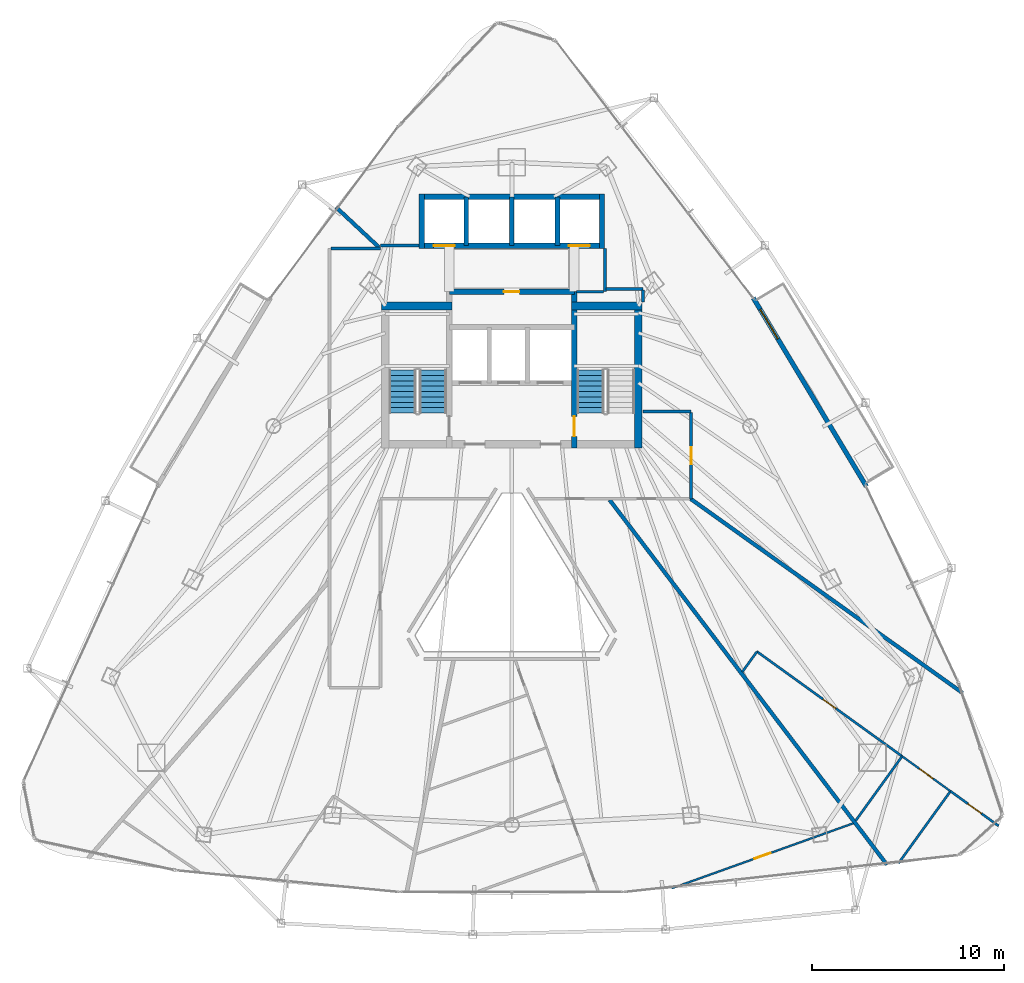
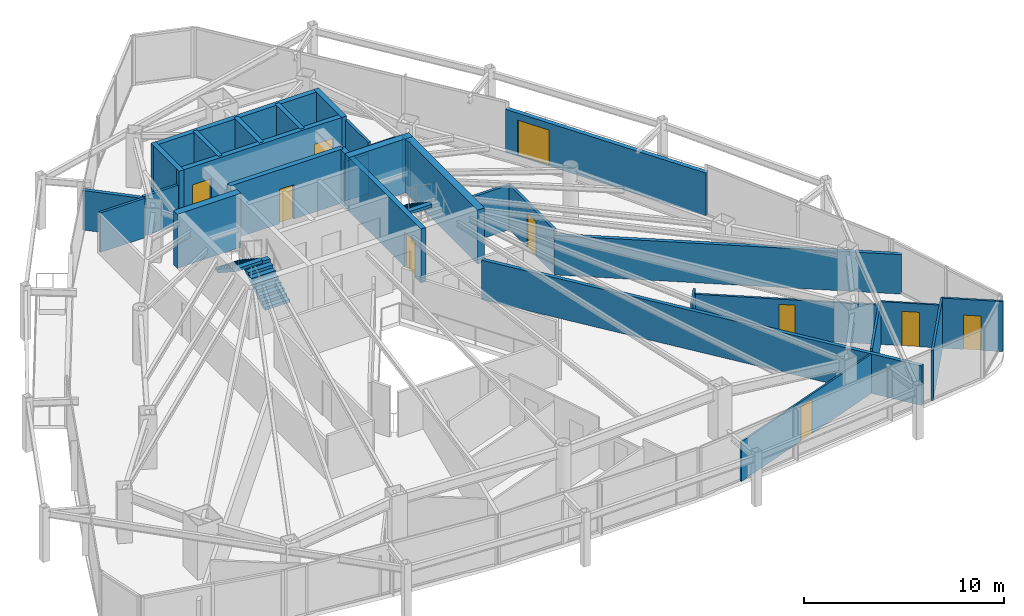
# One storey, part 26 of 30: 31 walls, 10 doors, 3 stair flights, 10 openings, 2 elements without a shape of their own.
"""IFC4 building model written with IfcOpenShell, lengths in metres."""

import ifcopenshell
import ifcopenshell.guid

model = None  # the IFC model being written
_history = None  # IfcOwnerHistory: only IFC2X3 demands one
_inside = {}  # id of a spatial element -> (the spatial element, [elements in it])
_under = {}  # id of a project, library or spatial element -> (it, [spatial elements below it])
_declared = {}  # id of a project -> (the project, [libraries it declares])
_typed = {}  # id of a type object -> (the type object, [elements of that type])
_made_of = {}  # id of a material, layer set ... -> (it, [elements and type objects made of it])


def new_model(schema):
    """Start an empty IFC model of exactly this schema.

    Asked for "IFC4X3", IfcOpenShell would pick the latest addendum, in which some entities
    have other attributes; the version numbers below select the first issue.
    IFC2X3 requires an IfcOwnerHistory on every rooted entity: one is made here for all.
    """
    global model, _history
    if schema == "IFC4X3":
        model = ifcopenshell.file(schema_version=(4, 3, 0, 0))
    else:
        model = ifcopenshell.file(schema=schema)
    _inside.clear()
    _under.clear()
    _declared.clear()
    _typed.clear()
    _made_of.clear()
    _history = None
    if model.schema == "IFC2X3":
        org = make("IfcOrganization", Name="unknown")
        user = make(
            "IfcPersonAndOrganization",
            ThePerson=make("IfcPerson", FamilyName="unknown"),
            TheOrganization=org,
        )
        app = make(
            "IfcApplication",
            ApplicationDeveloper=org,
            Version="unknown",
            ApplicationFullName="unknown",
            ApplicationIdentifier="unknown",
        )
        _history = make(
            "IfcOwnerHistory",
            OwningUser=user,
            OwningApplication=app,
            ChangeAction="ADDED",
            CreationDate=0,
        )
    return model


def make(cls, **values):
    """One entity of the class cls with the attributes given. An attribute that is None is left unset."""
    return model.create_entity(
        cls, **{name: value for name, value in values.items() if value is not None}
    )


def rooted(cls, **values):
    """An entity with a GlobalId (a new one), such as an element, a storey or a relation."""
    return make(cls, GlobalId=ifcopenshell.guid.new(), OwnerHistory=_history, **values)


def si_unit(unit_type, name, prefix=None):
    """IfcSIUnit, for example si_unit("LENGTHUNIT", "METRE", prefix="MILLI")."""
    return make("IfcSIUnit", UnitType=unit_type, Prefix=prefix, Name=name)


def assignment(units):
    """IfcUnitAssignment: the units of a project."""
    return None if units is None else make("IfcUnitAssignment", Units=units)


def point(xyz):
    """IfcCartesianPoint."""
    return None if xyz is None else make("IfcCartesianPoint", Coordinates=xyz)


def direction(xyz):
    """IfcDirection."""
    return None if xyz is None else make("IfcDirection", DirectionRatios=xyz)


def frame(location, z_axis=None, x_axis=None):
    """IfcAxis2Placement3D, a coordinate frame: its origin and axes. An axis left out is left unset."""
    return make(
        "IfcAxis2Placement3D",
        Location=point(location),
        Axis=direction(z_axis),
        RefDirection=direction(x_axis),
    )


def frame_2d(location, x_axis=None):
    """IfcAxis2Placement2D, a coordinate frame in the plane: its origin and x axis."""
    return make(
        "IfcAxis2Placement2D", Location=point(location), RefDirection=direction(x_axis)
    )


def origin():
    """The frame at (0, 0, 0) with its axes left unset."""
    return frame((0.0, 0.0, 0.0))


def place(relative_to, where):
    """IfcLocalPlacement: puts the frame where relative to a parent placement (None: the world)."""
    return make(
        "IfcLocalPlacement", PlacementRelTo=relative_to, RelativePlacement=where
    )


def context(
    kind, dimensions, precision=None, world=None, true_north=None, identifier=None
):
    """IfcGeometricRepresentationContext, for example the 3D "Model" context."""
    return make(
        "IfcGeometricRepresentationContext",
        ContextIdentifier=identifier,
        ContextType=kind,
        CoordinateSpaceDimension=dimensions,
        Precision=precision,
        WorldCoordinateSystem=world,
        TrueNorth=true_north,
    )


def subcontext(parent, identifier, kind, view, scale=None):
    """IfcGeometricRepresentationSubContext, for example "Body" below "Model"."""
    return make(
        "IfcGeometricRepresentationSubContext",
        ContextIdentifier=identifier,
        ContextType=kind,
        ParentContext=parent,
        TargetScale=scale,
        TargetView=view,
    )


def project(units=None, contexts=None):
    """IfcProject with its units and contexts."""
    return rooted(
        "IfcProject",
        Name="project",
        RepresentationContexts=contexts,
        UnitsInContext=assignment(units),
    )


def spatial(cls, under=None, at=None, **own):
    """A site, building, storey or space (cls), placed at a placement, below another one or the project."""
    s = rooted(cls, ObjectPlacement=at, **own)
    if under is not None:
        _under.setdefault(under.id(), (under, []))[1].append(s)
    return s


def polyline(points):
    """IfcPolyline through the points."""
    return make("IfcPolyline", Points=[point(p) for p in points])


def profile(cls, at=None, kind="AREA", **sizes):
    """A parametric profile (cls). Its sizes go by their IFC names, for example OverallWidth=200.0."""
    return make(cls, ProfileType=kind, Position=at, **sizes)


def rectangle(**sizes):
    """IfcRectangleProfileDef."""
    return profile("IfcRectangleProfileDef", **sizes)


def outline(outer, holes=None, kind="AREA"):
    """IfcArbitraryClosedProfileDef: a profile drawn as a closed curve; with holes, ...WithVoids."""
    if holes is None:
        return make("IfcArbitraryClosedProfileDef", ProfileType=kind, OuterCurve=outer)
    return make(
        "IfcArbitraryProfileDefWithVoids",
        ProfileType=kind,
        OuterCurve=outer,
        InnerCurves=holes,
    )


def extrude(swept, where, along, depth):
    """IfcExtrudedAreaSolid: the profile swept, set in the frame where, extruded along a direction by depth."""
    return make(
        "IfcExtrudedAreaSolid",
        SweptArea=swept,
        Position=where,
        ExtrudedDirection=direction(along),
        Depth=depth,
    )


def shape(context_of_items, identifier, shape_type, items):
    """IfcShapeRepresentation: the items that make up one representation, for example the "Body"."""
    return make(
        "IfcShapeRepresentation",
        ContextOfItems=context_of_items,
        RepresentationIdentifier=identifier,
        RepresentationType=shape_type,
        Items=items,
    )


def material(Name=None, Category=None):
    """IfcMaterial."""
    return make("IfcMaterial", Name=Name, Category=Category)


def layer(
    of_material, thickness, ventilated=None, Name=None, Category=None, Priority=None
):
    """IfcMaterialLayer: one layer of a wall or slab, of a material (None: an air gap)."""
    return make(
        "IfcMaterialLayer",
        Material=of_material,
        LayerThickness=thickness,
        IsVentilated=ventilated,
        Name=Name,
        Category=Category,
        Priority=Priority,
    )


def layer_set(layers, Name=None):
    """IfcMaterialLayerSet."""
    return make("IfcMaterialLayerSet", MaterialLayers=layers, LayerSetName=Name)


def made_of(thing, what):
    """Note that an element or type object is made of a material, layer set ...; save() writes the relation."""
    if what is not None:
        _made_of.setdefault(what.id(), (what, []))[1].append(thing)
    return thing


def type_object(cls, material=None, **own):
    """A type object (cls), such as IfcWallType, which elements share."""
    return made_of(rooted(cls, **own), material)


def element(
    cls,
    number,
    at=None,
    inside=None,
    cuts=None,
    type_object=None,
    material=None,
    context=None,
    identifier="Body",
    shape_type=None,
    held_by="IfcProductDefinitionShape",
    body=None,
    shapes=None,
    **own,
):
    """One element of the class cls, such as IfcWall. Its Tag is "e" and its number.

    at: its placement. inside: the storey or other place that contains it. cuts: it is an
    opening in that element (IfcRelVoidsElement). A single representation is given by context,
    identifier, shape_type and body (its items); several are given by shapes. held_by: the class
    of the entity that holds the representations. save() writes the other relations.
    """
    e = rooted(cls, Tag="e%d" % number, ObjectPlacement=at, **own)
    if body is not None:
        shapes = [shape(context, identifier, shape_type, body)]
    if shapes is not None:
        e.Representation = make(held_by, Representations=shapes)
    if inside is not None:
        _inside.setdefault(inside.id(), (inside, []))[1].append(e)
    if cuts is not None:
        rooted(
            "IfcRelVoidsElement", RelatingBuildingElement=cuts, RelatedOpeningElement=e
        )
    if type_object is not None:
        _typed.setdefault(type_object.id(), (type_object, []))[1].append(e)
    return made_of(e, material)


def fill(opening, filler):
    """IfcRelFillsElement: the door or window that sits in an opening."""
    return rooted(
        "IfcRelFillsElement",
        RelatingOpeningElement=opening,
        RelatedBuildingElement=filler,
    )


def aggregate(whole, parts):
    """IfcRelAggregates: a whole, such as a stair, and the parts it consists of."""
    return rooted("IfcRelAggregates", RelatingObject=whole, RelatedObjects=parts)


def save(model, path):
    """Write the relations noted so far, then the file.

    IfcRelAggregates (storeys below a building ...), IfcRelContainedInSpatialStructure (elements
    in a storey), IfcRelDefinesByType, IfcRelAssociatesMaterial and IfcRelDeclares: one each for
    every whole, place, type object, material and project.
    """
    for whole, parts in _under.values():
        aggregate(whole, parts)
    for where, things in _inside.values():
        rooted(
            "IfcRelContainedInSpatialStructure",
            RelatedElements=things,
            RelatingStructure=where,
        )
    for kind, things in _typed.values():
        rooted("IfcRelDefinesByType", RelatedObjects=things, RelatingType=kind)
    for what, things in _made_of.values():
        rooted("IfcRelAssociatesMaterial", RelatedObjects=things, RelatingMaterial=what)
    for by, libraries in _declared.values():
        rooted("IfcRelDeclares", RelatingContext=by, RelatedDefinitions=libraries)
    model.write(path)


model = new_model("IFC4")

# Units and contexts
model_context = context("Model", 3, precision=1e-05, world=origin(), true_north=direction((0.0, 1.0)))
body_context = subcontext(model_context, "Body", "Model", "MODEL_VIEW")
ifc_project = project(units=[si_unit("LENGTHUNIT", "METRE"), si_unit("AREAUNIT", "SQUARE_METRE"), si_unit("VOLUMEUNIT", "CUBIC_METRE"), si_unit("PLANEANGLEUNIT", "RADIAN"), si_unit("MASSUNIT", "GRAM", prefix="KILO")], contexts=[model_context])

# Site, building, storey
site_placement = place(None, origin())
site = spatial("IfcSite", under=ifc_project, at=site_placement, CompositionType="ELEMENT")
building_placement = place(site_placement, origin())
building = spatial("IfcBuilding", under=site, at=building_placement, Name="Orvanel Arch Residences", CompositionType="ELEMENT")
storey_placement = place(building_placement, frame((0.0, 0.0, 136.39990234375)))
storey = spatial("IfcBuildingStorey", under=building, at=storey_placement, Name="L38", CompositionType="ELEMENT", Elevation=136.39990234375)

# Wall, opening, door
ifc_material_1 = material(Name="Precast concrete N50 (50 MPa)", Category="concrete")
ifc_layer_1 = layer(ifc_material_1, 0.239990234375)
ifc_layer_set_1 = layer_set([ifc_layer_1], Name="Precast concrete N50 (50 MPa)")
wall_type_1 = type_object("IfcWallType", Name="EW-BAL-240", PredefinedType="SOLIDWALL", material=ifc_layer_set_1)
wall_1_placement = place(storey_placement, frame((51.490966796875, 24.491943359375, 0.0), z_axis=(0.0, 0.0, 1.0), x_axis=(-0.514364263751, 0.857571807009, 0.0)))
wall_1 = element("IfcWall", 1, at=wall_1_placement, inside=storey, type_object=wall_type_1, Name="L38 Balcony Threshold Wall Face 3", PredefinedType="SOLIDWALL", context=body_context, shape_type="SweptSolid", body=[
    extrude(rectangle(XDim=11.46826171875, YDim=0.239990234375, at=frame_2d((5.734130859375, 0.0))), origin(), (0.0, 0.0, 1.0), 2.6240234375),
])
opening_1_placement = place(wall_1_placement, frame((8.971923828125, 0.0, 0.0)))
opening_1 = element("IfcOpeningElement", 2, at=opening_1_placement, cuts=wall_1, Name="Opening DB-180", PredefinedType="OPENING", context=body_context, shape_type="SweptSolid", body=[
    extrude(rectangle(XDim=1.800048828125, YDim=2.199951171875, at=frame_2d((0.89990234375, 1.10009765625))), frame((0.0, 0.1298828125, 0.0), z_axis=(0.0, -1.0, 0.0), x_axis=(1.0, 0.0, 0.0)), (0.0, 0.0, 1.0), 0.260009765625),
])
ifc_material_2 = material(Name="Bronze-anodised aluminium AA6063-T6", Category="aluminium")
door_type_1 = type_object("IfcDoorType", Name="DR-BAL-1800", OperationType="NOTDEFINED", PredefinedType="DOOR", material=ifc_material_2)
door_1_placement = place(opening_1_placement, origin())
door_1 = element("IfcDoor", 3, at=door_1_placement, inside=storey, type_object=door_type_1, Name="DR-L38-BAL-F3 L38 Planted Balcony Access Door Face 3", OperationType="SINGLE_SWING_LEFT", OverallHeight=2.199951171875, OverallWidth=1.800048828125, PredefinedType="DOOR", context=body_context, shape_type="SweptSolid", body=[
    extrude(rectangle(XDim=1.800048828125, YDim=2.199951171875, at=frame_2d((0.89990234375, 1.10009765625))), frame((0.0, 0.02490234375, 0.0), z_axis=(0.0, -1.0, 0.0), x_axis=(1.0, 0.0, 0.0)), (0.0, 0.0, 1.0), 0.050048828125),
])
fill(opening_1, door_1)

# Walls
ifc_material_3 = material(Name="Concrete N50 (50 MPa)", Category="concrete")
ifc_layer_2 = layer(ifc_material_3, 0.25)
ifc_layer_set_2 = layer_set([ifc_layer_2], Name="Concrete N50 (50 MPa)")
wall_type_2 = type_object("IfcWallType", Name="SW-CORE-250", PredefinedType="SHEAR", material=ifc_layer_set_2)
for number, where, z_axis, x_axis, name in (
    (4, (30.625, 37.050048828125, 0.0), (0.0, 0.0, 1.0), (0.0, 1.0, 0.0), "L38 Passenger Lift Inter-Shaft Wall P35"),
    (5, (33.0, 37.050048828125, 0.0), (0.0, 0.0, 1.0), (0.0, 1.0, 0.0), "L38 Passenger Lift Inter-Shaft Wall P56"),
    (6, (35.375, 37.050048828125, 0.0), (0.0, 0.0, 1.0), (0.0, 1.0, 0.0), "L38 Passenger Lift Inter-Shaft Wall P64"),
):
    element("IfcWall", number, at=place(storey_placement, frame(where, z_axis=z_axis, x_axis=x_axis)), inside=storey, type_object=wall_type_2, Name=name, PredefinedType="SHEAR", context=body_context, shape_type="SweptSolid", body=[
        extrude(rectangle(XDim=2.550048828125, YDim=0.25, at=frame_2d((1.27490234375, 0.0))), origin(), (0.0, 0.0, 1.0), 3.300048828125),
    ])

# Wall, opening, door
ifc_material_4 = material(Name="Concrete S65 (65 MPa)", Category="concrete")
ifc_layer_3 = layer(ifc_material_4, 0.280029296875)
ifc_layer_set_3 = layer_set([ifc_layer_3], Name="Concrete S65 (65 MPa)")
wall_type_3 = type_object("IfcWallType", Name="SW-CORE-280", PredefinedType="SHEAR", material=ifc_layer_set_3)
wall_2_placement = place(storey_placement, frame((36.260009765625, 26.5, 0.0), z_axis=(0.0, 0.0, 1.0), x_axis=(0.0, 1.0, 0.0)))
wall_2 = element("IfcWall", 7, at=wall_2_placement, inside=storey, type_object=wall_type_3, Name="L38 East Inner Core Spine Shear Wall", PredefinedType="SHEAR", context=body_context, shape_type="SweptSolid", body=[
    extrude(rectangle(XDim=8.14990234375, YDim=0.280029296875, at=frame_2d((4.074951171875, 0.0))), origin(), (0.0, 0.0, 1.0), 3.300048828125),
])
opening_2_placement = place(wall_2_placement, frame((0.60009765625, 0.0, 0.0)))
opening_2 = element("IfcOpeningElement", 8, at=opening_2_placement, cuts=wall_2, Name="Opening DF-120", PredefinedType="OPENING", context=body_context, shape_type="SweptSolid", body=[
    extrude(rectangle(XDim=1.050048828125, YDim=2.14990234375, at=frame_2d((0.52490234375, 1.074951171875))), frame((0.0, 0.14990234375, 0.0), z_axis=(0.0, -1.0, 0.0), x_axis=(1.0, 0.0, 0.0)), (0.0, 0.0, 1.0), 0.300048828125),
])
ifc_material_5 = material(Name="Galvanised steel fire-resisting door assembly", Category="steel")
door_type_2 = type_object("IfcDoorType", Name="DR-FD120-1050", OperationType="NOTDEFINED", PredefinedType="DOOR", material=ifc_material_5)
door_2_placement = place(opening_2_placement, origin())
door_2 = element("IfcDoor", 9, at=door_2_placement, inside=storey, type_object=door_type_2, Name="DR-L38-ST2 L38 Stair 2 Fire Door", OperationType="SINGLE_SWING_RIGHT", OverallHeight=2.14990234375, OverallWidth=1.050048828125, PredefinedType="DOOR", context=body_context, shape_type="SweptSolid", body=[
    extrude(rectangle(XDim=1.050048828125, YDim=2.14990234375, at=frame_2d((0.52490234375, 1.074951171875))), frame((0.0, 0.02490234375, 0.0), z_axis=(0.0, -1.0, 0.0), x_axis=(1.0, 0.0, 0.0)), (0.0, 0.0, 1.0), 0.050048828125),
])
fill(opening_2, door_2)

wall_3_placement = place(storey_placement, frame((29.739990234375, 34.64990234375, 0.0), z_axis=(0.0, 0.0, 1.0), x_axis=(1.0, 0.0, 0.0)))
wall_3 = element("IfcWall", 10, at=wall_3_placement, inside=storey, type_object=wall_type_3, Name="L38 Core Service Band North Shear Wall", PredefinedType="SHEAR", context=body_context, shape_type="SweptSolid", body=[
    extrude(rectangle(XDim=6.52001953125, YDim=0.280029296875, at=frame_2d((3.260009765625, 0.0))), origin(), (0.0, 0.0, 1.0), 3.300048828125),
])
opening_3_placement = place(wall_3_placement, frame((2.840087890625, 0.0, 0.0)))
opening_3 = element("IfcOpeningElement", 11, at=opening_3_placement, cuts=wall_3, Name="Opening DS-082", PredefinedType="OPENING", context=body_context, shape_type="SweptSolid", body=[
    extrude(rectangle(XDim=0.820068359375, YDim=2.10009765625, at=frame_2d((0.41015625, 1.050048828125))), frame((0.0, 0.14990234375, 0.0), z_axis=(0.0, -1.0, 0.0), x_axis=(1.0, 0.0, 0.0)), (0.0, 0.0, 1.0), 0.300048828125),
])
door_type_3 = type_object("IfcDoorType", Name="DR-SVC-820", OperationType="NOTDEFINED", PredefinedType="DOOR", material=ifc_material_5)
door_3_placement = place(opening_3_placement, origin())
door_3 = element("IfcDoor", 12, at=door_3_placement, inside=storey, type_object=door_type_3, Name="DR-L38-CSVC-1 L38 Housekeeping Linen Store Door", OperationType="SINGLE_SWING_LEFT", OverallHeight=2.10009765625, OverallWidth=0.820068359375, PredefinedType="DOOR", context=body_context, shape_type="SweptSolid", body=[
    extrude(rectangle(XDim=0.820068359375, YDim=2.10009765625, at=frame_2d((0.41015625, 1.050048828125))), frame((0.0, 0.02490234375, 0.0), z_axis=(0.0, -1.0, 0.0), x_axis=(1.0, 0.0, 0.0)), (0.0, 0.0, 1.0), 0.050048828125),
])
fill(opening_3, door_3)

# Wall, openings, doors
wall_4_placement = place(storey_placement, frame((37.840087890625, 37.050048828125, 0.0), z_axis=(0.0, 0.0, 1.0), x_axis=(-1.0, 0.0, 0.0)))
wall_4 = element("IfcWall", 13, at=wall_4_placement, inside=storey, type_object=wall_type_3, Name="L38 Passenger Lift Bank Front Shear Wall", PredefinedType="SHEAR", context=body_context, shape_type="SweptSolid", body=[
    extrude(rectangle(XDim=9.68017578125, YDim=0.280029296875, at=frame_2d((4.840087890625, 0.0))), origin(), (0.0, 0.0, 1.0), 3.300048828125),
])
opening_4_placement = place(wall_4_placement, frame((7.81494140625, 0.0, 0.0)))
opening_4 = element("IfcOpeningElement", 14, at=opening_4_placement, cuts=wall_4, Name="Opening LD-110", PredefinedType="OPENING", context=body_context, shape_type="SweptSolid", body=[
    extrude(rectangle(XDim=1.10009765625, YDim=2.199951171875, at=frame_2d((0.550048828125, 1.10009765625))), frame((0.0, 0.14990234375, 0.0), z_axis=(0.0, -1.0, 0.0), x_axis=(1.0, 0.0, 0.0)), (0.0, 0.0, 1.0), 0.300048828125),
])
opening_5_placement = place(wall_4_placement, frame((0.764892578125, 0.0, 0.0)))
opening_5 = element("IfcOpeningElement", 15, at=opening_5_placement, cuts=wall_4, Name="Opening LD-110", PredefinedType="OPENING", context=body_context, shape_type="SweptSolid", body=[
    extrude(rectangle(XDim=1.10009765625, YDim=2.199951171875, at=frame_2d((0.550048828125, 1.10009765625))), frame((0.0, 0.14990234375, 0.0), z_axis=(0.0, -1.0, 0.0), x_axis=(1.0, 0.0, 0.0)), (0.0, 0.0, 1.0), 0.300048828125),
])
door_type_4 = type_object("IfcDoorType", Name="DR-LFT-1100", OperationType="NOTDEFINED", PredefinedType="DOOR", material=ifc_material_5)
door_4_placement = place(opening_4_placement, origin())
door_4 = element("IfcDoor", 16, at=door_4_placement, inside=storey, type_object=door_type_4, Name="LD-P3-L38 L38 Passenger Lift P3 Sliding Landing Door", OperationType="DOUBLE_DOOR_SLIDING", OverallHeight=2.199951171875, OverallWidth=1.10009765625, PredefinedType="DOOR", context=body_context, shape_type="SweptSolid", body=[
    extrude(rectangle(XDim=1.10009765625, YDim=2.199951171875, at=frame_2d((0.550048828125, 1.10009765625))), frame((0.0, 0.02490234375, 0.0), z_axis=(0.0, -1.0, 0.0), x_axis=(1.0, 0.0, 0.0)), (0.0, 0.0, 1.0), 0.050048828125),
])
fill(opening_4, door_4)
door_5_placement = place(opening_5_placement, origin())
door_5 = element("IfcDoor", 17, at=door_5_placement, inside=storey, type_object=door_type_4, Name="LD-P4-L38 L38 Passenger Lift P4 Sliding Landing Door", OperationType="DOUBLE_DOOR_SLIDING", OverallHeight=2.199951171875, OverallWidth=1.10009765625, PredefinedType="DOOR", context=body_context, shape_type="SweptSolid", body=[
    extrude(rectangle(XDim=1.10009765625, YDim=2.199951171875, at=frame_2d((0.550048828125, 1.10009765625))), frame((0.0, 0.02490234375, 0.0), z_axis=(0.0, -1.0, 0.0), x_axis=(1.0, 0.0, 0.0)), (0.0, 0.0, 1.0), 0.050048828125),
])
fill(opening_5, door_5)

# Walls
wall_5_placement = place(storey_placement, frame((28.159912109375, 39.60009765625, 0.0), z_axis=(0.0, 0.0, 1.0), x_axis=(1.0, 0.0, 0.0)))
element("IfcWall", 18, at=wall_5_placement, inside=storey, type_object=wall_type_3, Name="L38 Passenger Lift Bank North Shear Wall", PredefinedType="SHEAR", context=body_context, shape_type="SweptSolid", body=[
    extrude(rectangle(XDim=9.68017578125, YDim=0.280029296875, at=frame_2d((4.840087890625, 0.0))), origin(), (0.0, 0.0, 1.0), 3.300048828125),
])
for number, where, z_axis, x_axis, name in (
    (19, (28.300048828125, 36.909912109375, 0.0), (0.0, 0.0, 1.0), (0.0, 1.0, 0.0), "L38 Passenger Lift Bank West Shear Wall"),
    (20, (37.699951171875, 36.909912109375, 0.0), (0.0, 0.0, 1.0), (0.0, 1.0, 0.0), "L38 Passenger Lift Bank East Shear Wall"),
):
    element("IfcWall", number, at=place(storey_placement, frame(where, z_axis=z_axis, x_axis=x_axis)), inside=storey, type_object=wall_type_3, Name=name, PredefinedType="SHEAR", context=body_context, shape_type="SweptSolid", body=[
        extrude(rectangle(XDim=2.830078125, YDim=0.280029296875, at=frame_2d((1.4150390625, 0.0))), origin(), (0.0, 0.0, 1.0), 3.300048828125),
    ])
ifc_layer_4 = layer(ifc_material_4, 0.39990234375)
ifc_layer_set_4 = layer_set([ifc_layer_4], Name="Concrete S65 (65 MPa)")
wall_type_4 = type_object("IfcWallType", Name="SW-CORE-400", PredefinedType="SHEAR", material=ifc_layer_set_4)
wall_6_placement = place(storey_placement, frame((26.199951171875, 33.89990234375, 0.0), z_axis=(0.0, 0.0, 1.0), x_axis=(1.0, 0.0, 0.0)))
element("IfcWall", 21, at=wall_6_placement, inside=storey, type_object=wall_type_4, Name="L38 West Stair North Shear Wall", PredefinedType="SHEAR", context=body_context, shape_type="SweptSolid", body=[
    extrude(rectangle(XDim=3.679931640625, YDim=0.39990234375, at=frame_2d((1.83984375, 0.0))), origin(), (0.0, 0.0, 1.0), 3.300048828125),
])
wall_7_placement = place(storey_placement, frame((39.60009765625, 26.5, 0.0), z_axis=(0.0, 0.0, 1.0), x_axis=(0.0, 1.0, 0.0)))
element("IfcWall", 22, at=wall_7_placement, inside=storey, type_object=wall_type_4, Name="L38 East Stair Shear Wall", PredefinedType="SHEAR", context=body_context, shape_type="SweptSolid", body=[
    extrude(rectangle(XDim=7.60009765625, YDim=0.39990234375, at=frame_2d((3.800048828125, 0.0))), origin(), (0.0, 0.0, 1.0), 3.300048828125),
])
wall_8_placement = place(storey_placement, frame((36.1201171875, 33.89990234375, 0.0), z_axis=(0.0, 0.0, 1.0), x_axis=(1.0, 0.0, 0.0)))
element("IfcWall", 23, at=wall_8_placement, inside=storey, type_object=wall_type_4, Name="L38 East Stair North Shear Wall", PredefinedType="SHEAR", context=body_context, shape_type="SweptSolid", body=[
    extrude(rectangle(XDim=3.679931640625, YDim=0.39990234375, at=frame_2d((1.83984375, 0.0))), origin(), (0.0, 0.0, 1.0), 3.300048828125),
])
ifc_material_6 = material(Name="Fire-rated plasterboard lined steel stud partition", Category="steel")
ifc_layer_5 = layer(ifc_material_6, 0.14990234375)
ifc_layer_set_5 = layer_set([ifc_layer_5], Name="Fire-rated plasterboard lined steel stud partition")
wall_type_5 = type_object("IfcWallType", Name="W-COR-150", PredefinedType="PARTITIONING", material=ifc_layer_set_5)
wall_9_placement = place(storey_placement, frame((37.85009765625, 34.64990234375, 0.0), z_axis=(0.0, 0.0, 1.0), x_axis=(0.0, 1.0, 0.0)))
element("IfcWall", 24, at=wall_9_placement, inside=storey, type_object=wall_type_5, Name="L38 Passenger Lift Lobby East Closure Wall", PredefinedType="PARTITIONING", context=body_context, shape_type="SweptSolid", body=[
    extrude(rectangle(XDim=2.260009765625, YDim=0.14990234375, at=frame_2d((1.1298828125, 0.0))), origin(), (0.0, 0.0, 1.0), 3.06005859375),
])
wall_10_placement = place(storey_placement, frame((36.385009765625, 34.64990234375, 0.0), z_axis=(0.0, 0.0, 1.0), x_axis=(1.0, 0.0, 0.0)))
element("IfcWall", 25, at=wall_10_placement, inside=storey, type_object=wall_type_5, Name="L38 Passenger Lift Lobby South-East Wall", PredefinedType="PARTITIONING", context=body_context, shape_type="SweptSolid", body=[
    extrude(rectangle(XDim=1.405029296875, YDim=0.14990234375, at=frame_2d((0.70263671875, 0.0))), origin(), (0.0, 0.0, 1.0), 2.425048828125),
])
wall_11_placement = place(storey_placement, frame((23.56005859375, 36.89990234375, 0.0), z_axis=(0.0, 0.0, 1.0), x_axis=(1.0, 0.0, 0.0)))
element("IfcWall", 26, at=wall_11_placement, inside=storey, type_object=wall_type_5, Name="L38 Corridor Fire-Rated Partition", PredefinedType="PARTITIONING", context=body_context, shape_type="SweptSolid", body=[
    extrude(rectangle(XDim=2.58984375, YDim=0.14990234375, at=frame_2d((1.294921875, 0.0))), origin(), (0.0, 0.0, 1.0), 2.4130859375),
])
wall_12_placement = place(storey_placement, frame((39.85009765625, 28.39990234375, 0.0), z_axis=(0.0, 0.0, 1.0), x_axis=(1.0, 0.0, 0.0)))
element("IfcWall", 27, at=wall_12_placement, inside=storey, type_object=wall_type_5, Name="L38 Corridor Fire-Rated Partition", PredefinedType="PARTITIONING", context=body_context, shape_type="SweptSolid", body=[
    extrude(rectangle(XDim=2.5, YDim=0.14990234375, at=frame_2d((1.25, 0.0))), origin(), (0.0, 0.0, 1.0), 2.72119140625),
])

# Wall, opening, door
wall_13_placement = place(storey_placement, frame((42.35009765625, 28.340087890625, 0.0), z_axis=(0.0, 0.0, 1.0), x_axis=(0.0, -1.0, 0.0)))
wall_13 = element("IfcWall", 28, at=wall_13_placement, inside=storey, type_object=wall_type_5, Name="L38 Corridor Fire-Rated Partition", PredefinedType="PARTITIONING", context=body_context, shape_type="SweptSolid", body=[
    extrude(rectangle(XDim=4.489990234375, YDim=0.14990234375, at=frame_2d((2.2451171875, 0.0))), origin(), (0.0, 0.0, 1.0), 2.72119140625),
])
opening_6_placement = place(wall_13_placement, frame((1.804931640625, 0.0, 0.0)))
opening_6 = element("IfcOpeningElement", 29, at=opening_6_placement, cuts=wall_13, Name="Opening DI-088", PredefinedType="OPENING", context=body_context, shape_type="SweptSolid", body=[
    extrude(rectangle(XDim=0.8798828125, YDim=2.10009765625, at=frame_2d((0.43994140625, 1.050048828125))), frame((0.0, 0.0849609375, 0.0), z_axis=(0.0, -1.0, 0.0), x_axis=(1.0, 0.0, 0.0)), (0.0, 0.0, 1.0), 0.169921875),
])
ifc_material_7 = material(Name="Solid-core European oak veneer fire door leaf", Category="wood")
door_type_5 = type_object("IfcDoorType", Name="DR-INT-880", OperationType="NOTDEFINED", PredefinedType="DOOR", material=ifc_material_7)
door_6_placement = place(opening_6_placement, origin())
door_6 = element("IfcDoor", 30, at=door_6_placement, inside=storey, type_object=door_type_5, Name="DR-L38-SHRD-FB2 L38 Co-Working Study Office B Door", OperationType="SINGLE_SWING_LEFT", OverallHeight=2.10009765625, OverallWidth=0.8798828125, PredefinedType="DOOR", context=body_context, shape_type="SweptSolid", body=[
    extrude(rectangle(XDim=0.8798828125, YDim=2.10009765625, at=frame_2d((0.43994140625, 1.050048828125))), frame((0.0, 0.02490234375, 0.0), z_axis=(0.0, -1.0, 0.0), x_axis=(1.0, 0.0, 0.0)), (0.0, 0.0, 1.0), 0.050048828125),
])
fill(opening_6, door_6)

# Walls
wall_14_placement = place(storey_placement, frame((26.14990234375, 37.050048828125, 0.0), z_axis=(0.0, 0.0, 1.0), x_axis=(1.0, 0.0, 0.0)))
element("IfcWall", 31, at=wall_14_placement, inside=storey, type_object=wall_type_5, Name="L38 Core Perimeter Partition", PredefinedType="PARTITIONING", context=body_context, shape_type="SweptSolid", body=[
    extrude(rectangle(XDim=2.0, YDim=0.14990234375, at=frame_2d((1.0, 0.0))), origin(), (0.0, 0.0, 1.0), 2.4130859375),
])
wall_15_placement = place(storey_placement, frame((37.909912109375, 34.800048828125, 0.0), z_axis=(0.0, 0.0, 1.0), x_axis=(1.0, 0.0, 0.0)))
element("IfcWall", 32, at=wall_15_placement, inside=storey, type_object=wall_type_5, Name="L38 Core Perimeter Partition", PredefinedType="PARTITIONING", context=body_context, shape_type="SweptSolid", body=[
    extrude(rectangle(XDim=1.940185546875, YDim=0.14990234375, at=frame_2d((0.97021484375, 0.0))), origin(), (0.0, 0.0, 1.0), 2.72119140625),
])
wall_16_placement = place(storey_placement, frame((39.85009765625, 34.739990234375, 0.0), z_axis=(0.0, 0.0, 1.0), x_axis=(0.0, -1.0, 0.0)))
element("IfcWall", 33, at=wall_16_placement, inside=storey, type_object=wall_type_5, Name="L38 Core Perimeter Partition", PredefinedType="PARTITIONING", context=body_context, shape_type="SweptSolid", body=[
    extrude(rectangle(XDim=0.639892578125, YDim=0.14990234375, at=frame_2d((0.31982421875, 0.0))), origin(), (0.0, 0.0, 1.0), 2.72119140625),
])
ifc_layer_6 = layer(ifc_material_6, 0.199951171875)
ifc_layer_set_6 = layer_set([ifc_layer_6], Name="Fire-rated plasterboard lined steel stud partition")
wall_type_6 = type_object("IfcWallType", Name="W-DEM-200", PredefinedType="PARTITIONING", material=ifc_layer_set_6)
wall_17_placement = place(storey_placement, frame((38.10107421875, 23.7900390625, 0.0), z_axis=(0.0, 0.0, 1.0), x_axis=(0.605201904092, -0.796072016393, 0.0)))
element("IfcWall", 34, at=wall_17_placement, inside=storey, type_object=wall_type_6, Name="L38 Inter-Tenancy Acoustic Demising Wall", PredefinedType="PARTITIONING", context=body_context, shape_type="SweptSolid", body=[
    extrude(rectangle(XDim=23.89599609375, YDim=0.199951171875, at=frame_2d((11.947998046875, 0.0))), origin(), (0.0, 0.0, 1.0), 2.4130859375),
])
wall_18_placement = place(storey_placement, frame((26.0791015625, 36.9599609375, 0.0), z_axis=(0.0, 0.0, 1.0), x_axis=(-0.730912649308, 0.682471024354, 0.0)))
element("IfcWall", 35, at=wall_18_placement, inside=storey, type_object=wall_type_6, Name="L38 Inter-Tenancy Acoustic Demising Wall", PredefinedType="PARTITIONING", context=body_context, shape_type="SweptSolid", body=[
    extrude(rectangle(XDim=3.07421875, YDim=0.199951171875, at=frame_2d((1.537109375, 0.0))), origin(), (0.0, 0.0, 1.0), 2.4130859375),
])
wall_19_placement = place(storey_placement, frame((56.514892578125, 13.719970703125, 0.0), z_axis=(0.0, 0.0, 1.0), x_axis=(-0.813997291107, 0.580868668522, 0.0)))
element("IfcWall", 36, at=wall_19_placement, inside=storey, type_object=wall_type_6, Name="L38 Inter-Tenancy Acoustic Demising Wall", PredefinedType="PARTITIONING", context=body_context, shape_type="SweptSolid", body=[
    extrude(rectangle(XDim=17.439697265625, YDim=0.199951171875, at=frame_2d((8.7197265625, 0.0))), origin(), (0.0, 0.0, 1.0), 2.4130859375),
])

# Wall, opening, door
ifc_material_8 = material(Name="Acoustic plasterboard lined twin-stud partition", Category="gypsum")
ifc_layer_7 = layer(ifc_material_8, 0.10009765625)
ifc_layer_set_7 = layer_set([ifc_layer_7], Name="Acoustic plasterboard lined twin-stud partition")
wall_type_7 = type_object("IfcWallType", Name="W-INT-100", PredefinedType="PARTITIONING", material=ifc_layer_set_7)
wall_20_placement = place(storey_placement, frame((50.81005859375, 6.931884765625, 0.0), z_axis=(0.0, 0.0, 1.0), x_axis=(-0.941340567411, -0.337458050943, 0.0)))
wall_20 = element("IfcWall", 37, at=wall_20_placement, inside=storey, type_object=wall_type_7, Name="L38 Flat A Internal Partition", PredefinedType="PARTITIONING", context=body_context, shape_type="SweptSolid", body=[
    extrude(rectangle(XDim=10.0634765625, YDim=0.10009765625, at=frame_2d((5.03173828125, 0.0))), origin(), (0.0, 0.0, 1.0), 2.4130859375),
])
opening_7_placement = place(wall_20_placement, frame((4.592041015625, 0.0, 0.0)))
opening_7 = element("IfcOpeningElement", 38, at=opening_7_placement, cuts=wall_20, Name="Opening DI-088", PredefinedType="OPENING", context=body_context, shape_type="SweptSolid", body=[
    extrude(rectangle(XDim=0.8798828125, YDim=2.10009765625, at=frame_2d((0.43994140625, 1.050048828125))), frame((0.0, 0.06005859375, 0.0), z_axis=(0.0, -1.0, 0.0), x_axis=(1.0, 0.0, 0.0)), (0.0, 0.0, 1.0), 0.1201171875),
])
door_7_placement = place(opening_7_placement, origin())
door_7 = element("IfcDoor", 39, at=door_7_placement, inside=storey, type_object=door_type_5, Name="DR-L38-A-AME2 L38 Flat A Resident Reading Library 1 Door", OperationType="SINGLE_SWING_LEFT", OverallHeight=2.10009765625, OverallWidth=0.8798828125, PredefinedType="DOOR", context=body_context, shape_type="SweptSolid", body=[
    extrude(rectangle(XDim=0.8798828125, YDim=2.10009765625, at=frame_2d((0.43994140625, 1.050048828125))), frame((0.0, 0.02490234375, 0.0), z_axis=(0.0, -1.0, 0.0), x_axis=(1.0, 0.0, 0.0)), (0.0, 0.0, 1.0), 0.050048828125),
])
fill(opening_7, door_7)

wall_21_placement = place(storey_placement, frame((55.8740234375, 8.60400390625, 0.0), z_axis=(0.0, 0.0, 1.0), x_axis=(-0.810886170902, 0.585203911333, 0.0)))
wall_21 = element("IfcWall", 40, at=wall_21_placement, inside=storey, type_object=wall_type_7, Name="L38 Studio E Internal Partition", PredefinedType="PARTITIONING", context=body_context, shape_type="SweptSolid", body=[
    extrude(rectangle(XDim=3.110107421875, YDim=0.10009765625, at=frame_2d((1.55517578125, 0.0))), origin(), (0.0, 0.0, 1.0), 2.619140625),
])
opening_8_placement = place(wall_21_placement, frame((1.114990234375, 0.0, 0.0)))
opening_8 = element("IfcOpeningElement", 41, at=opening_8_placement, cuts=wall_21, Name="Opening DI-088", PredefinedType="OPENING", context=body_context, shape_type="SweptSolid", body=[
    extrude(rectangle(XDim=0.8798828125, YDim=2.10009765625, at=frame_2d((0.43994140625, 1.050048828125))), frame((0.0, 0.06005859375, 0.0), z_axis=(0.0, -1.0, 0.0), x_axis=(1.0, 0.0, 0.0)), (0.0, 0.0, 1.0), 0.1201171875),
])
door_8_placement = place(opening_8_placement, origin())
door_8 = element("IfcDoor", 42, at=door_8_placement, inside=storey, type_object=door_type_5, Name="DR-L38-E-DIN1 L38 Studio E Dining Room 1 Door", OperationType="SINGLE_SWING_LEFT", OverallHeight=2.10009765625, OverallWidth=0.8798828125, PredefinedType="DOOR", context=body_context, shape_type="SweptSolid", body=[
    extrude(rectangle(XDim=0.8798828125, YDim=2.10009765625, at=frame_2d((0.43994140625, 1.050048828125))), frame((0.0, 0.02490234375, 0.0), z_axis=(0.0, -1.0, 0.0), x_axis=(1.0, 0.0, 0.0)), (0.0, 0.0, 1.0), 0.050048828125),
])
fill(opening_8, door_8)

ifc_layer_8 = layer(ifc_material_8, 0.1201171875)
ifc_layer_set_8 = layer_set([ifc_layer_8], Name="Acoustic plasterboard lined twin-stud partition")
wall_type_8 = type_object("IfcWallType", Name="W-WET-120", PredefinedType="PARTITIONING", material=ifc_layer_set_8)
wall_22_placement = place(storey_placement, frame((53.35205078125, 10.424072265625, 0.0), z_axis=(0.0, 0.0, 1.0), x_axis=(-0.810979209295, 0.585074971343, 0.0)))
wall_22 = element("IfcWall", 43, at=wall_22_placement, inside=storey, type_object=wall_type_8, Name="L38 Studio E Bathroom Partition", PredefinedType="PARTITIONING", context=body_context, shape_type="SweptSolid", body=[
    extrude(rectangle(XDim=9.33203125, YDim=0.1201171875, at=frame_2d((4.666015625, 0.0))), origin(), (0.0, 0.0, 1.0), 2.4130859375),
])
opening_9_placement = place(wall_22_placement, frame((4.256103515625, 0.0, 0.0)))
opening_9 = element("IfcOpeningElement", 44, at=opening_9_placement, cuts=wall_22, Name="Opening DW-082", PredefinedType="OPENING", context=body_context, shape_type="SweptSolid", body=[
    extrude(rectangle(XDim=0.820068359375, YDim=2.10009765625, at=frame_2d((0.41015625, 1.050048828125))), frame((0.0, 0.070068359375, 0.0), z_axis=(0.0, -1.0, 0.0), x_axis=(1.0, 0.0, 0.0)), (0.0, 0.0, 1.0), 0.14013671875),
])
door_type_6 = type_object("IfcDoorType", Name="DR-WET-820", OperationType="NOTDEFINED", PredefinedType="DOOR", material=ifc_material_7)
door_9_placement = place(opening_9_placement, origin())
door_9 = element("IfcDoor", 45, at=door_9_placement, inside=storey, type_object=door_type_6, Name="DR-L38-E-BATH L38 Studio E Bathroom Door", OperationType="SINGLE_SWING_RIGHT", OverallHeight=2.10009765625, OverallWidth=0.820068359375, PredefinedType="DOOR", context=body_context, shape_type="SweptSolid", body=[
    extrude(rectangle(XDim=0.820068359375, YDim=2.10009765625, at=frame_2d((0.41015625, 1.050048828125))), frame((0.0, 0.02490234375, 0.0), z_axis=(0.0, -1.0, 0.0), x_axis=(1.0, 0.0, 0.0)), (0.0, 0.0, 1.0), 0.050048828125),
])
fill(opening_9, door_9)

# Wall
wall_23_placement = place(storey_placement, frame((45.783935546875, 15.884033203125, 0.0), z_axis=(0.0, 0.0, 1.0), x_axis=(-0.58557264979, -0.810619930558, 0.0)))
element("IfcWall", 46, at=wall_23_placement, inside=storey, type_object=wall_type_8, Name="L38 Studio E Bathroom Partition", PredefinedType="PARTITIONING", context=body_context, shape_type="SweptSolid", body=[
    extrude(rectangle(XDim=1.302978515625, YDim=0.1201171875, at=frame_2d((0.6513671875, 0.0))), origin(), (0.0, 0.0, 1.0), 2.72119140625),
])

# Wall, opening, door
wall_24_placement = place(storey_placement, frame((58.385009765625, 6.79296875, 0.0), z_axis=(0.0, 0.0, 1.0), x_axis=(-0.811055436316, 0.584969297675, 0.0)))
wall_24 = element("IfcWall", 47, at=wall_24_placement, inside=storey, type_object=wall_type_8, Name="L38 Studio E Internal Partition", PredefinedType="PARTITIONING", context=body_context, shape_type="SweptSolid", body=[
    extrude(rectangle(XDim=3.095947265625, YDim=0.1201171875, at=frame_2d((1.5478515625, 0.0))), origin(), (0.0, 0.0, 1.0), 3.06005859375),
])
opening_10_placement = place(wall_24_placement, frame((1.10791015625, 0.0, 0.0)))
opening_10 = element("IfcOpeningElement", 48, at=opening_10_placement, cuts=wall_24, Name="Opening DI-088", PredefinedType="OPENING", context=body_context, shape_type="SweptSolid", body=[
    extrude(rectangle(XDim=0.8798828125, YDim=2.10009765625, at=frame_2d((0.43994140625, 1.050048828125))), frame((0.0, 0.070068359375, 0.0), z_axis=(0.0, -1.0, 0.0), x_axis=(1.0, 0.0, 0.0)), (0.0, 0.0, 1.0), 0.14013671875),
])
door_10_placement = place(opening_10_placement, origin())
door_10 = element("IfcDoor", 49, at=door_10_placement, inside=storey, type_object=door_type_5, Name="DR-L38-E-KIT L38 Studio E Kitchenette Door", OperationType="SINGLE_SWING_LEFT", OverallHeight=2.10009765625, OverallWidth=0.8798828125, PredefinedType="DOOR", context=body_context, shape_type="SweptSolid", body=[
    extrude(rectangle(XDim=0.8798828125, YDim=2.10009765625, at=frame_2d((0.43994140625, 1.050048828125))), frame((0.0, 0.02490234375, 0.0), z_axis=(0.0, -1.0, 0.0), x_axis=(1.0, 0.0, 0.0)), (0.0, 0.0, 1.0), 0.050048828125),
])
fill(opening_10, door_10)

# Walls
wall_25_placement = place(storey_placement, frame((53.35205078125, 10.424072265625, 0.0), z_axis=(0.0, 0.0, 1.0), x_axis=(-0.585041198475, -0.811003573412, 0.0)))
element("IfcWall", 50, at=wall_25_placement, inside=storey, type_object=wall_type_8, Name="L38 Studio E Bathroom Partition", PredefinedType="PARTITIONING", context=body_context, shape_type="SweptSolid", body=[
    extrude(rectangle(XDim=4.146728515625, YDim=0.1201171875, at=frame_2d((2.0732421875, 0.0))), origin(), (0.0, 0.0, 1.0), 2.619140625),
])
wall_26_placement = place(storey_placement, frame((53.1640625, 4.846923828125, 0.0), z_axis=(0.0, 0.0, 1.0), x_axis=(0.58499591955, 0.81103623477, 0.0)))
element("IfcWall", 51, at=wall_26_placement, inside=storey, type_object=wall_type_8, Name="L38 Studio E Internal Partition", PredefinedType="PARTITIONING", context=body_context, shape_type="SweptSolid", body=[
    extrude(rectangle(XDim=4.63232421875, YDim=0.1201171875, at=frame_2d((2.316162109375, 0.0))), origin(), (0.0, 0.0, 1.0), 3.06005859375),
])

# Stair, stair flights
stair_type = type_object("IfcStairType", Name="STR-DOG-184", PredefinedType="USERDEFINED", material=ifc_material_1)
stair_1_placement = place(storey_placement, origin())
stair_1 = element("IfcStair", 52, at=stair_1_placement, inside=storey, type_object=stair_type, Name="L38 Fire-Isolated Core Exit Stair 1", ObjectType="TWO_RETURN_STAIR", PredefinedType="USERDEFINED")
stair_flight_type_1 = type_object("IfcStairFlightType", Name="SFL-C1-184", PredefinedType="STRAIGHT", material=ifc_material_1)
stair_flight_1_placement = place(storey_placement, frame((28.889892578125, 28.320068359375, 0.0), z_axis=(0.0, 0.0, 1.0), x_axis=(0.0, 1.0, 0.0)))
stair_flight_1 = element("IfcStairFlight", 53, at=stair_flight_1_placement, type_object=stair_flight_type_1, Name="ST-1 flight 1", NumberOfRisers=9, NumberOfTreads=8, PredefinedType="STRAIGHT", RiserHeight=0.183333333, TreadLength=0.28, context=body_context, shape_type="SweptSolid", body=[
    extrude(outline(polyline([(0.0, 0.0), (0.0, 0.183349609375), (0.280029296875, 0.183349609375), (0.280029296875, 0.36669921875), (0.56005859375, 0.36669921875), (0.56005859375, 0.550048828125), (0.840087890625, 0.550048828125), (0.840087890625, 0.7333984375), (1.1201171875, 0.7333984375), (1.1201171875, 0.916748046875), (1.39990234375, 0.916748046875), (1.39990234375, 1.10009765625), (1.679931640625, 1.10009765625), (1.679931640625, 1.283447265625), (1.9599609375, 1.283447265625), (1.9599609375, 1.466552734375), (2.239990234375, 1.466552734375), (2.239990234375, 1.64990234375), (2.239990234375, 1.28759765625), (0.273681640625, 0.0), (0.0, 0.0)])), frame((0.0, 0.7099609375, 0.0), z_axis=(0.0, -1.0, 0.0), x_axis=(1.0, 0.0, 0.0)), (0.0, 0.0, 1.0), 1.419921875),
])
stair_flight_2_placement = place(storey_placement, frame((27.31005859375, 30.56005859375, 1.650146484375), z_axis=(0.0, 0.0, 1.0), x_axis=(0.0, -1.0, 0.0)))
stair_flight_2 = element("IfcStairFlight", 54, at=stair_flight_2_placement, type_object=stair_flight_type_1, Name="ST-1 flight 2", NumberOfRisers=9, NumberOfTreads=8, PredefinedType="STRAIGHT", RiserHeight=0.183333333, TreadLength=0.28, context=body_context, shape_type="SweptSolid", body=[
    extrude(outline(polyline([(0.0, 0.0), (0.0, 0.183349609375), (0.280029296875, 0.183349609375), (0.280029296875, 0.36669921875), (0.56005859375, 0.36669921875), (0.56005859375, 0.550048828125), (0.840087890625, 0.550048828125), (0.840087890625, 0.7333984375), (1.1201171875, 0.7333984375), (1.1201171875, 0.916748046875), (1.39990234375, 0.916748046875), (1.39990234375, 1.10009765625), (1.679931640625, 1.10009765625), (1.679931640625, 1.283447265625), (1.9599609375, 1.283447265625), (1.9599609375, 1.466552734375), (2.239990234375, 1.466552734375), (2.239990234375, 1.64990234375), (2.239990234375, 1.28759765625), (0.273681640625, 0.0), (0.0, 0.0)])), frame((0.0, 0.7099609375, 0.0), z_axis=(0.0, -1.0, 0.0), x_axis=(1.0, 0.0, 0.0)), (0.0, 0.0, 1.0), 1.419921875),
])
aggregate(stair_1, [stair_flight_1, stair_flight_2])

# Stair, stair flight
stair_2_placement = place(storey_placement, origin())
stair_2 = element("IfcStair", 55, at=stair_2_placement, inside=storey, type_object=stair_type, Name="L38 Fire-Isolated Core Exit Stair 2", ObjectType="TWO_RETURN_STAIR", PredefinedType="USERDEFINED")
stair_flight_type_2 = type_object("IfcStairFlightType", Name="SFL-C2-184", PredefinedType="STRAIGHT", material=ifc_material_1)
stair_flight_3_placement = place(storey_placement, frame((37.110107421875, 30.56005859375, 1.650146484375), z_axis=(0.0, 0.0, 1.0), x_axis=(0.0, -1.0, 0.0)))
stair_flight_3 = element("IfcStairFlight", 56, at=stair_flight_3_placement, type_object=stair_flight_type_2, Name="ST-2 flight 2", NumberOfRisers=9, NumberOfTreads=8, PredefinedType="STRAIGHT", RiserHeight=0.183333333, TreadLength=0.28, context=body_context, shape_type="SweptSolid", body=[
    extrude(outline(polyline([(0.0, 0.0), (0.0, 0.183349609375), (0.280029296875, 0.183349609375), (0.280029296875, 0.36669921875), (0.56005859375, 0.36669921875), (0.56005859375, 0.550048828125), (0.840087890625, 0.550048828125), (0.840087890625, 0.7333984375), (1.1201171875, 0.7333984375), (1.1201171875, 0.916748046875), (1.39990234375, 0.916748046875), (1.39990234375, 1.10009765625), (1.679931640625, 1.10009765625), (1.679931640625, 1.283447265625), (1.9599609375, 1.283447265625), (1.9599609375, 1.466552734375), (2.239990234375, 1.466552734375), (2.239990234375, 1.64990234375), (2.239990234375, 1.28759765625), (0.273681640625, 0.0), (0.0, 0.0)])), frame((0.0, 0.7099609375, 0.0), z_axis=(0.0, -1.0, 0.0), x_axis=(1.0, 0.0, 0.0)), (0.0, 0.0, 1.0), 1.419921875),
])
aggregate(stair_2, [stair_flight_3])

save(model, "model.ifc")
